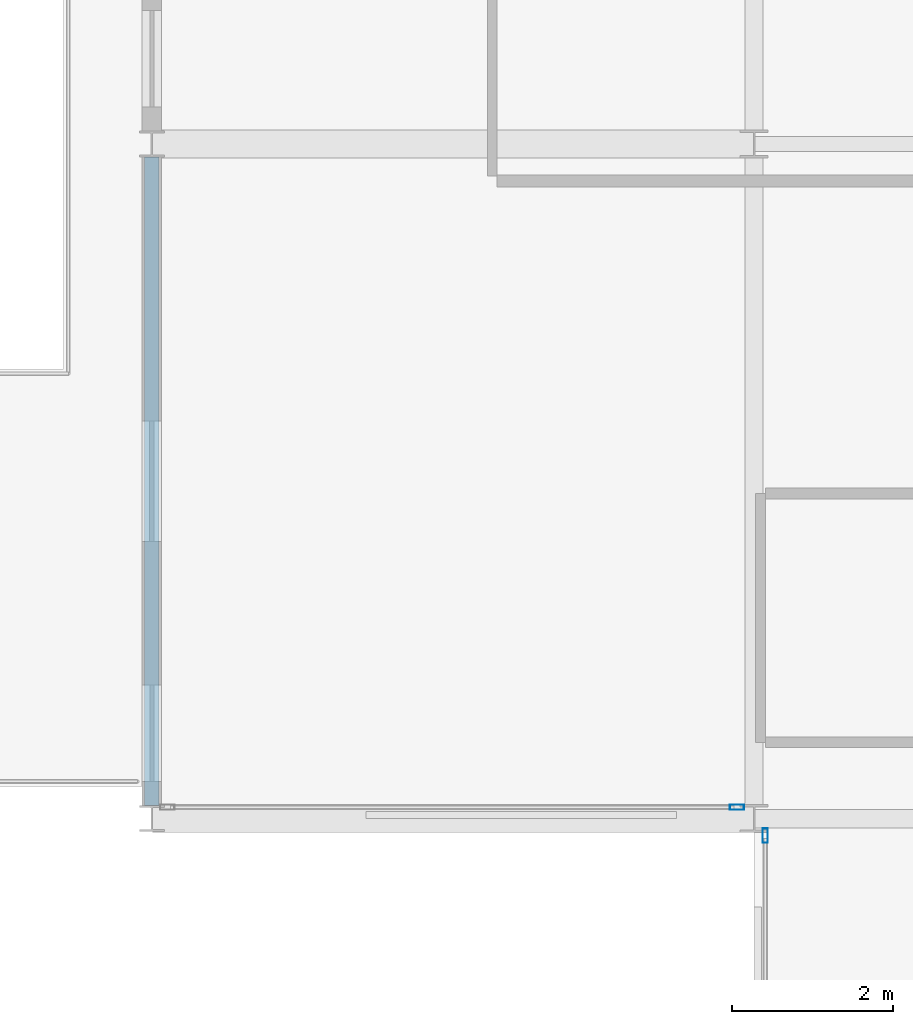
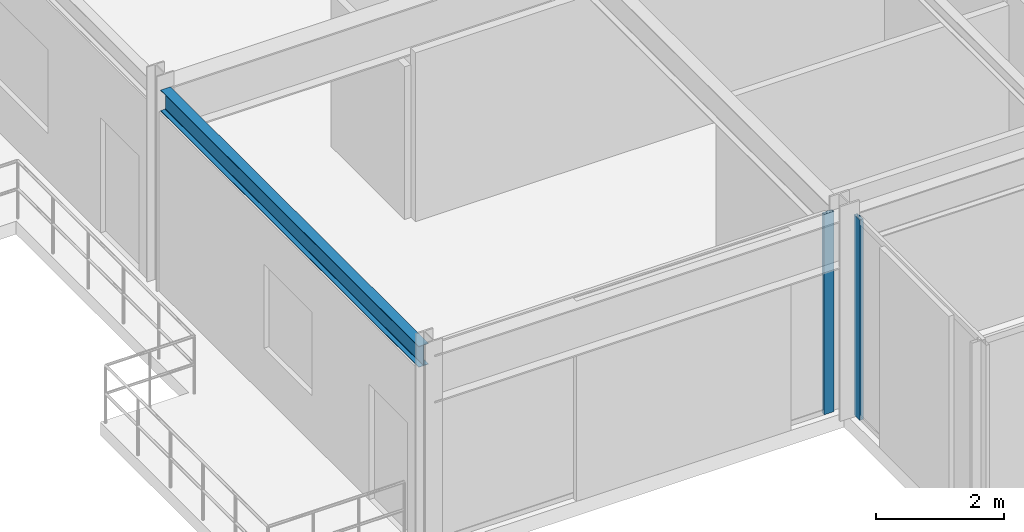
# One storey, part 4 of 29: 2 members, 1 beam, 2 elements without a shape of their own.
"""IFC4 building model written with IfcOpenShell, lengths in metres."""

from ifc_helpers import new_model, si_unit, direction, frame, origin, origin_2d, place, context, subcontext, project, spatial, hollow_rectangle, i_section, extrude, material, layer, layer_set, material_profile, profile_set, type_object, element, aggregate, save


model = new_model("IFC4")

# Units and contexts
model_context = context("Model", 3, precision=1e-05, world=origin(), true_north=direction((0.0, 1.0)))
body_context = subcontext(model_context, "Body", "Model", "MODEL_VIEW")
ifc_project = project(units=[si_unit("LENGTHUNIT", "METRE"), si_unit("AREAUNIT", "SQUARE_METRE"), si_unit("VOLUMEUNIT", "CUBIC_METRE"), si_unit("PLANEANGLEUNIT", "RADIAN"), si_unit("MASSUNIT", "GRAM", prefix="KILO")], contexts=[model_context])

# Site, building, storey
site_placement = place(None, origin())
site = spatial("IfcSite", under=ifc_project, at=site_placement, CompositionType="ELEMENT")
building_placement = place(site_placement, origin())
building = spatial("IfcBuilding", under=site, at=building_placement, Name="Nerrivon Quay Data Exchange", CompositionType="ELEMENT")
storey_placement = place(building_placement, frame((0.0, 0.0, 212.39990234375)))
storey = spatial("IfcBuildingStorey", under=building, at=storey_placement, Name="L50", CompositionType="ELEMENT", Elevation=212.39990234375)

# Beam
ifc_material_1 = material(Name="Steel Grade 350", Category="steel")
ifc_material_profile_1 = material_profile(ifc_material_1, i_section(OverallWidth=0.177978515625, OverallDepth=0.403076171875, WebThickness=0.007568359375, FlangeThickness=0.010986328125, FilletRadius=0.011474609375, at=origin_2d()), Name="410UB53.7")
ifc_profile_set_1 = profile_set([ifc_material_profile_1], Name="Steel Grade 350")
beam_type = type_object("IfcBeamType", Name="BM-SP2-410UB54", PredefinedType="SPANDREL", material=ifc_profile_set_1)
beam_placement = place(storey_placement, frame((-7.5, 8.5634765625, 3.62353515625), z_axis=(0.0, 1.0, 0.0), x_axis=(-1.0, 0.0, 0.0)))
element("IfcBeam", 1, at=beam_placement, inside=storey, type_object=beam_type, Name="L50 West Hooked Edge Spandrel", PredefinedType="SPANDREL", context=body_context, shape_type="SweptSolid", body=[
    extrude(i_section(OverallWidth=0.177978515625, OverallDepth=0.403076171875, WebThickness=0.007568359375, FlangeThickness=0.010986328125, FilletRadius=0.011474609375, at=origin_2d()), origin(), (0.0, 0.0, 1.0), 8.072998046875),
])

# Curtain wall, member
ifc_material_2 = material(Name="Anodised aluminium 6063-T6", Category="aluminium")
ifc_layer_1 = layer(ifc_material_2, 0.195068359375)
ifc_layer_set_1 = layer_set([ifc_layer_1], Name="Anodised aluminium 6063-T6")
curtain_wall_type_1 = type_object("IfcCurtainWallType", Name="CW-SYS-06", PredefinedType="NOTDEFINED", material=ifc_layer_set_1)
curtain_wall_1_placement = place(storey_placement, origin())
curtain_wall_1 = element("IfcCurtainWall", 2, at=curtain_wall_1_placement, inside=storey, type_object=curtain_wall_type_1, Name="L50 Unitised Curtain Wall 31", PredefinedType="NOTDEFINED")
ifc_material_profile_2 = material_profile(ifc_material_2, hollow_rectangle(XDim=0.06494140625, YDim=0.179931640625, WallThickness=0.00341796875, at=origin_2d()), Name="ALU-MULL-180x65")
ifc_profile_set_2 = profile_set([ifc_material_profile_2], Name="Anodised aluminium 6063-T6")
member_type = type_object("IfcMemberType", Name="CWM-180x65", PredefinedType="MULLION", material=ifc_profile_set_2)
member_1_placement = place(storey_placement, frame((0.139892578125, 8.1875, 0.0), z_axis=(0.0, 0.0, 1.0), x_axis=(-1.0, 0.0, 0.0)))
member_1 = element("IfcMember", 3, at=member_1_placement, type_object=member_type, Name="CW06 mullion 2", PredefinedType="MULLION", context=body_context, shape_type="SweptSolid", body=[
    extrude(hollow_rectangle(XDim=0.06494140625, YDim=0.179931640625, WallThickness=0.00341796875, at=origin_2d()), origin(), (0.0, 0.0, 1.0), 3.8251953125),
])
aggregate(curtain_wall_1, [member_1])

ifc_layer_2 = layer(ifc_material_2, 0.199951171875)
ifc_layer_set_2 = layer_set([ifc_layer_2], Name="Anodised aluminium 6063-T6")
curtain_wall_type_2 = type_object("IfcCurtainWallType", Name="CW-SYS-04", PredefinedType="NOTDEFINED", material=ifc_layer_set_2)
curtain_wall_2_placement = place(storey_placement, origin())
curtain_wall_2 = element("IfcCurtainWall", 4, at=curtain_wall_2_placement, inside=storey, type_object=curtain_wall_type_2, Name="L50 Unitised Curtain Wall 32", PredefinedType="NOTDEFINED")
member_2_placement = place(storey_placement, frame((-0.21240234375, 8.5400390625, 0.0), z_axis=(0.0, 0.0, 1.0), x_axis=(0.0, -1.0, 0.0)))
member_2 = element("IfcMember", 5, at=member_2_placement, type_object=member_type, Name="CW04 mullion 1", PredefinedType="MULLION", context=body_context, shape_type="SweptSolid", body=[
    extrude(hollow_rectangle(XDim=0.06494140625, YDim=0.179931640625, WallThickness=0.00341796875, at=origin_2d()), origin(), (0.0, 0.0, 1.0), 3.8251953125),
])
aggregate(curtain_wall_2, [member_2])

save(model, "model.ifc")
